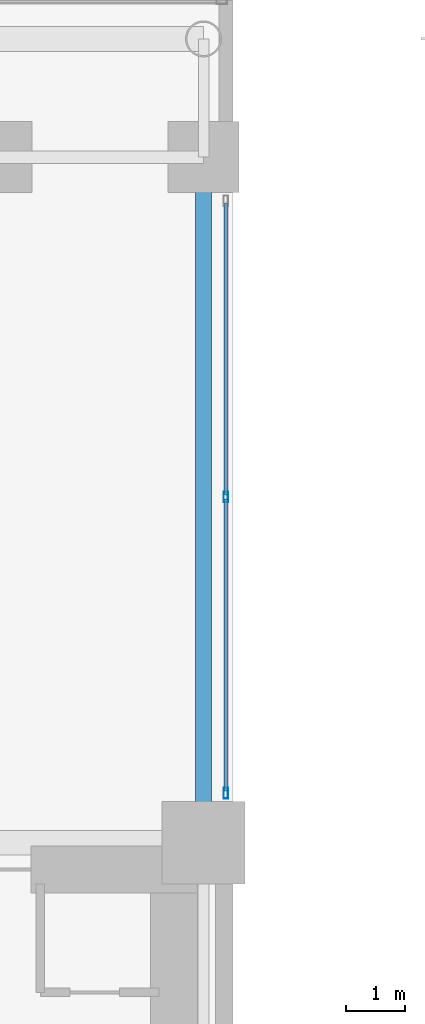
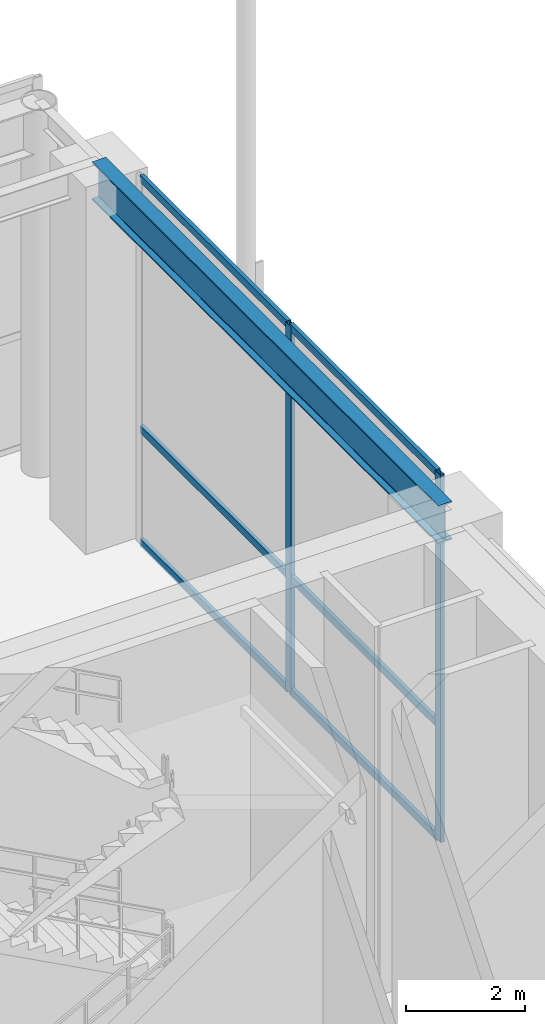
# One storey, part 12 of 29: 8 members, 1 beam, 1 element without a shape of its own.
"""IFC4 building model written with IfcOpenShell, lengths in metres."""

from ifc_helpers import new_model, si_unit, direction, frame, origin, origin_2d, place, context, subcontext, project, spatial, hollow_rectangle, i_section, extrude, source, transform, mapped, material, layer, layer_set, material_profile, profile_set, type_object, element, aggregate, save


model = new_model("IFC4")

# Units and contexts
model_context = context("Model", 3, precision=1e-05, world=origin(), true_north=direction((0.0, 1.0)))
body_context = subcontext(model_context, "Body", "Model", "MODEL_VIEW")
ifc_project = project(units=[si_unit("LENGTHUNIT", "METRE"), si_unit("AREAUNIT", "SQUARE_METRE"), si_unit("VOLUMEUNIT", "CUBIC_METRE"), si_unit("PLANEANGLEUNIT", "RADIAN"), si_unit("MASSUNIT", "GRAM", prefix="KILO")], contexts=[model_context])

# Site, building, storey
site_placement = place(None, origin())
site = spatial("IfcSite", under=ifc_project, at=site_placement, CompositionType="ELEMENT")
building_placement = place(site_placement, origin())
building = spatial("IfcBuilding", under=site, at=building_placement, Name="Ocotamira Hotel", CompositionType="ELEMENT")
storey_placement = place(building_placement, frame((0.0, 0.0, 11.39990234375)))
storey = spatial("IfcBuildingStorey", under=building, at=storey_placement, Name="L03", CompositionType="ELEMENT", Elevation=11.39990234375)

# Beam
ifc_material_1 = material(Name="Steel ASTM A992 Grade 50", Category="steel")
ifc_material_profile_1 = material_profile(ifc_material_1, i_section(OverallWidth=0.26611328125, OverallDepth=0.779052734375, WebThickness=0.0166015625, FlangeThickness=0.030029296875, FilletRadius=0.01806640625, at=origin_2d()), Name="W30X148")
ifc_profile_set_1 = profile_set([ifc_material_profile_1], Name="Steel ASTM A992 Grade 50")
beam_type = type_object("IfcBeamType", Name="BM-GIRD-W30X148", PredefinedType="BEAM", material=ifc_profile_set_1)
shared_shape_1 = source(origin(), body_context, "Body", "SweptSolid", [
    extrude(i_section(OverallWidth=0.26611328125, OverallDepth=0.779052734375, WebThickness=0.0166015625, FlangeThickness=0.030029296875, FilletRadius=0.01806640625, at=origin_2d()), origin(), (0.0, 0.0, 1.0), 11.60009765625),
])
beam_placement = place(storey_placement, frame((23.5, 37.449951171875, 7.12060546875), z_axis=(0.0, 1.0, 0.0), x_axis=(-1.0, 0.0, 0.0)))
element("IfcBeam", 1, at=beam_placement, inside=storey, type_object=beam_type, Name="L03 Beam X23.5 Y37.45-49.05", PredefinedType="BEAM", context=body_context, shape_type="MappedRepresentation", body=[
    mapped(shared_shape_1, transform((0.0, 0.0, 0.0), scale=1.0)),
])

# Curtain wall, members
ifc_material_2 = material(Name="Anodised pale-metal aluminium and solar glass", Category="aluminium")
ifc_layer = layer(ifc_material_2, 0.219970703125)
ifc_layer_set = layer_set([ifc_layer], Name="Anodised pale-metal aluminium and solar glass")
curtain_wall_type = type_object("IfcCurtainWallType", Name="CW-SYS1-POD", PredefinedType="NOTDEFINED", material=ifc_layer_set)
curtain_wall_placement = place(storey_placement, origin())
curtain_wall = element("IfcCurtainWall", 2, at=curtain_wall_placement, inside=storey, type_object=curtain_wall_type, Name="L03 Curtain Wall CW-1 CW-L03-AW-N", PredefinedType="NOTDEFINED")
ifc_material_3 = material(Name="Anodised pale-metal aluminium 6063-T6", Category="aluminium")
ifc_material_profile_2 = material_profile(ifc_material_3, hollow_rectangle(XDim=0.074951171875, YDim=0.14990234375, WallThickness=0.006103515625, at=origin_2d()), Name="HSS150X75X6")
ifc_profile_set_2 = profile_set([ifc_material_profile_2], Name="Anodised pale-metal aluminium 6063-T6")
member_type_1 = type_object("IfcMemberType", Name="CWT-150X75", PredefinedType="USERDEFINED", material=ifc_profile_set_2)
shared_shape_2 = source(origin(), body_context, "Body", "SweptSolid", [
    extrude(hollow_rectangle(XDim=0.074951171875, YDim=0.14990234375, WallThickness=0.006103515625, at=origin_2d()), origin(), (0.0, 0.0, 1.0), 4.929931640625),
])
member_1_placement = place(storey_placement, frame((23.8798828125, 38.330078125, 0.03759765625), z_axis=(0.0, 1.0, 0.0), x_axis=(-1.0, 0.0, 0.0)))
member_1 = element("IfcMember", 3, at=member_1_placement, type_object=member_type_1, Name="CW-1 transom 1.1", ObjectType="TRANSOM", PredefinedType="USERDEFINED", context=body_context, shape_type="MappedRepresentation", body=[
    mapped(shared_shape_2, transform((0.0, 0.0, 0.0), scale=1.0)),
])
member_2_placement = place(storey_placement, frame((23.8798828125, 38.330078125, 2.35009765625), z_axis=(0.0, 1.0, 0.0), x_axis=(-1.0, 0.0, 0.0)))
member_2 = element("IfcMember", 4, at=member_2_placement, type_object=member_type_1, Name="CW-1 transom 1.2", ObjectType="TRANSOM", PredefinedType="USERDEFINED", context=body_context, shape_type="MappedRepresentation", body=[
    mapped(shared_shape_2, transform((0.0, 0.0, 0.0), scale=1.0)),
])
member_3_placement = place(storey_placement, frame((23.8798828125, 38.330078125, 7.47265625), z_axis=(0.0, 1.0, 0.0), x_axis=(-1.0, 0.0, 0.0)))
member_3 = element("IfcMember", 5, at=member_3_placement, type_object=member_type_1, Name="CW-1 transom 1.3", ObjectType="TRANSOM", PredefinedType="USERDEFINED", context=body_context, shape_type="MappedRepresentation", body=[
    mapped(shared_shape_2, transform((0.0, 0.0, 0.0), scale=1.0)),
])
member_4_placement = place(storey_placement, frame((23.8798828125, 43.340087890625, 0.03759765625), z_axis=(0.0, 1.0, 0.0), x_axis=(-1.0, 0.0, 0.0)))
member_4 = element("IfcMember", 6, at=member_4_placement, type_object=member_type_1, Name="CW-1 transom 2.1", ObjectType="TRANSOM", PredefinedType="USERDEFINED", context=body_context, shape_type="MappedRepresentation", body=[
    mapped(shared_shape_2, transform((0.0, 0.0, 0.0), scale=1.0)),
])
member_5_placement = place(storey_placement, frame((23.8798828125, 43.340087890625, 2.35009765625), z_axis=(0.0, 1.0, 0.0), x_axis=(-1.0, 0.0, 0.0)))
member_5 = element("IfcMember", 7, at=member_5_placement, type_object=member_type_1, Name="CW-1 transom 2.2", ObjectType="TRANSOM", PredefinedType="USERDEFINED", context=body_context, shape_type="MappedRepresentation", body=[
    mapped(shared_shape_2, transform((0.0, 0.0, 0.0), scale=1.0)),
])
member_6_placement = place(storey_placement, frame((23.8798828125, 43.340087890625, 7.47265625), z_axis=(0.0, 1.0, 0.0), x_axis=(-1.0, 0.0, 0.0)))
member_6 = element("IfcMember", 8, at=member_6_placement, type_object=member_type_1, Name="CW-1 transom 2.3", ObjectType="TRANSOM", PredefinedType="USERDEFINED", context=body_context, shape_type="MappedRepresentation", body=[
    mapped(shared_shape_2, transform((0.0, 0.0, 0.0), scale=1.0)),
])
ifc_material_profile_3 = material_profile(ifc_material_3, hollow_rectangle(XDim=0.080078125, YDim=0.179931640625, WallThickness=0.006103515625, at=origin_2d()), Name="HSS180X80X6")
ifc_profile_set_3 = profile_set([ifc_material_profile_3], Name="Anodised pale-metal aluminium 6063-T6")
member_type_2 = type_object("IfcMemberType", Name="CWM-180X75", PredefinedType="MULLION", material=ifc_profile_set_3)
shared_shape_3 = source(origin(), body_context, "Body", "SweptSolid", [
    extrude(hollow_rectangle(XDim=0.080078125, YDim=0.179931640625, WallThickness=0.006103515625, at=origin_2d()), origin(), (0.0, 0.0, 1.0), 7.510009765625),
])
member_7_placement = place(storey_placement, frame((23.8798828125, 38.2900390625, 0.0), z_axis=(0.0, 0.0, 1.0), x_axis=(-1.0, 0.0, 0.0)))
member_7 = element("IfcMember", 9, at=member_7_placement, type_object=member_type_2, Name="CW-1 mullion 1", PredefinedType="MULLION", context=body_context, shape_type="MappedRepresentation", body=[
    mapped(shared_shape_3, transform((0.0, 0.0, 0.0), scale=1.0)),
])
member_8_placement = place(storey_placement, frame((23.8798828125, 43.300048828125, 0.0), z_axis=(0.0, 0.0, 1.0), x_axis=(-1.0, 0.0, 0.0)))
member_8 = element("IfcMember", 10, at=member_8_placement, type_object=member_type_2, Name="CW-1 mullion 2", PredefinedType="MULLION", context=body_context, shape_type="MappedRepresentation", body=[
    mapped(shared_shape_3, transform((0.0, 0.0, 0.0), scale=1.0)),
])
aggregate(curtain_wall, [member_7, member_8, member_1, member_2, member_3, member_4, member_5, member_6])

save(model, "model.ifc")
